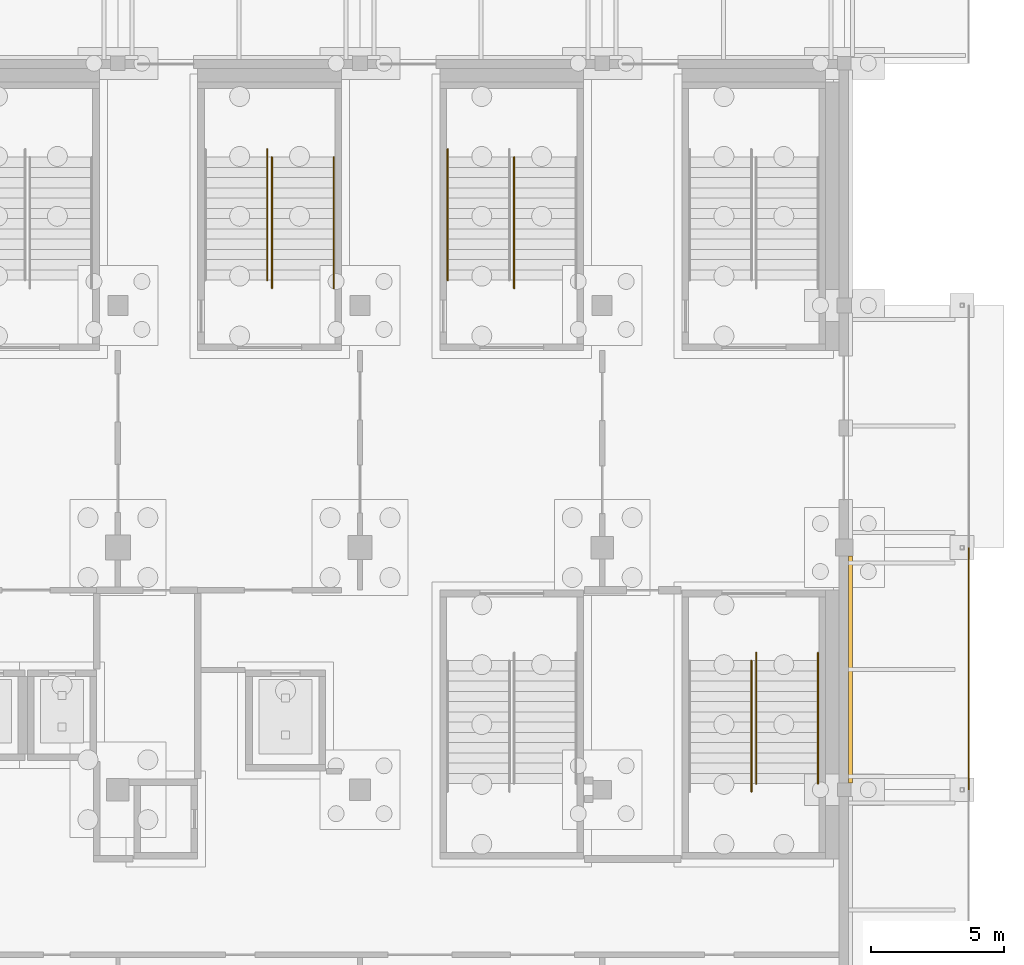
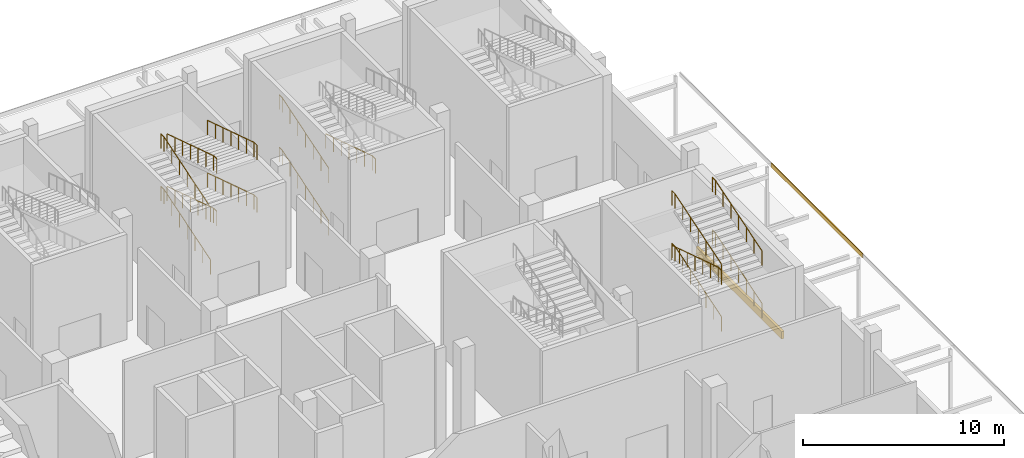
# One storey, part 120 of 129: 14 railings, 2 coverings.
"""IFC4 building model written with IfcOpenShell, lengths in metres."""

import ifcopenshell
import ifcopenshell.guid

model = None  # the IFC model being written
_history = None  # IfcOwnerHistory: only IFC2X3 demands one
_inside = {}  # id of a spatial element -> (the spatial element, [elements in it])
_under = {}  # id of a project, library or spatial element -> (it, [spatial elements below it])
_declared = {}  # id of a project -> (the project, [libraries it declares])
_typed = {}  # id of a type object -> (the type object, [elements of that type])
_made_of = {}  # id of a material, layer set ... -> (it, [elements and type objects made of it])


def new_model(schema):
    """Start an empty IFC model of exactly this schema.

    Asked for "IFC4X3", IfcOpenShell would pick the latest addendum, in which some entities
    have other attributes; the version numbers below select the first issue.
    IFC2X3 requires an IfcOwnerHistory on every rooted entity: one is made here for all.
    """
    global model, _history
    if schema == "IFC4X3":
        model = ifcopenshell.file(schema_version=(4, 3, 0, 0))
    else:
        model = ifcopenshell.file(schema=schema)
    _inside.clear()
    _under.clear()
    _declared.clear()
    _typed.clear()
    _made_of.clear()
    _history = None
    if model.schema == "IFC2X3":
        org = make("IfcOrganization", Name="unknown")
        user = make(
            "IfcPersonAndOrganization",
            ThePerson=make("IfcPerson", FamilyName="unknown"),
            TheOrganization=org,
        )
        app = make(
            "IfcApplication",
            ApplicationDeveloper=org,
            Version="unknown",
            ApplicationFullName="unknown",
            ApplicationIdentifier="unknown",
        )
        _history = make(
            "IfcOwnerHistory",
            OwningUser=user,
            OwningApplication=app,
            ChangeAction="ADDED",
            CreationDate=0,
        )
    return model


def make(cls, **values):
    """One entity of the class cls with the attributes given. An attribute that is None is left unset."""
    return model.create_entity(
        cls, **{name: value for name, value in values.items() if value is not None}
    )


def rooted(cls, **values):
    """An entity with a GlobalId (a new one), such as an element, a storey or a relation."""
    return make(cls, GlobalId=ifcopenshell.guid.new(), OwnerHistory=_history, **values)


def si_unit(unit_type, name, prefix=None):
    """IfcSIUnit, for example si_unit("LENGTHUNIT", "METRE", prefix="MILLI")."""
    return make("IfcSIUnit", UnitType=unit_type, Prefix=prefix, Name=name)


def assignment(units):
    """IfcUnitAssignment: the units of a project."""
    return None if units is None else make("IfcUnitAssignment", Units=units)


def point(xyz):
    """IfcCartesianPoint."""
    return None if xyz is None else make("IfcCartesianPoint", Coordinates=xyz)


def direction(xyz):
    """IfcDirection."""
    return None if xyz is None else make("IfcDirection", DirectionRatios=xyz)


def frame(location, z_axis=None, x_axis=None):
    """IfcAxis2Placement3D, a coordinate frame: its origin and axes. An axis left out is left unset."""
    return make(
        "IfcAxis2Placement3D",
        Location=point(location),
        Axis=direction(z_axis),
        RefDirection=direction(x_axis),
    )


def frame_2d(location, x_axis=None):
    """IfcAxis2Placement2D, a coordinate frame in the plane: its origin and x axis."""
    return make(
        "IfcAxis2Placement2D", Location=point(location), RefDirection=direction(x_axis)
    )


def origin():
    """The frame at (0, 0, 0) with its axes left unset."""
    return frame((0.0, 0.0, 0.0))


def origin_2d():
    """The frame at (0, 0) in the plane with its x axis left unset."""
    return frame_2d((0.0, 0.0))


def place(relative_to, where):
    """IfcLocalPlacement: puts the frame where relative to a parent placement (None: the world)."""
    return make(
        "IfcLocalPlacement", PlacementRelTo=relative_to, RelativePlacement=where
    )


def context(
    kind, dimensions, precision=None, world=None, true_north=None, identifier=None
):
    """IfcGeometricRepresentationContext, for example the 3D "Model" context."""
    return make(
        "IfcGeometricRepresentationContext",
        ContextIdentifier=identifier,
        ContextType=kind,
        CoordinateSpaceDimension=dimensions,
        Precision=precision,
        WorldCoordinateSystem=world,
        TrueNorth=true_north,
    )


def subcontext(parent, identifier, kind, view, scale=None):
    """IfcGeometricRepresentationSubContext, for example "Body" below "Model"."""
    return make(
        "IfcGeometricRepresentationSubContext",
        ContextIdentifier=identifier,
        ContextType=kind,
        ParentContext=parent,
        TargetScale=scale,
        TargetView=view,
    )


def project(units=None, contexts=None):
    """IfcProject with its units and contexts."""
    return rooted(
        "IfcProject",
        Name="project",
        RepresentationContexts=contexts,
        UnitsInContext=assignment(units),
    )


def spatial(cls, under=None, at=None, **own):
    """A site, building, storey or space (cls), placed at a placement, below another one or the project."""
    s = rooted(cls, ObjectPlacement=at, **own)
    if under is not None:
        _under.setdefault(under.id(), (under, []))[1].append(s)
    return s


def profile(cls, at=None, kind="AREA", **sizes):
    """A parametric profile (cls). Its sizes go by their IFC names, for example OverallWidth=200.0."""
    return make(cls, ProfileType=kind, Position=at, **sizes)


def rectangle(**sizes):
    """IfcRectangleProfileDef."""
    return profile("IfcRectangleProfileDef", **sizes)


def circle(**sizes):
    """IfcCircleProfileDef."""
    return profile("IfcCircleProfileDef", **sizes)


def extrude(swept, where, along, depth):
    """IfcExtrudedAreaSolid: the profile swept, set in the frame where, extruded along a direction by depth."""
    return make(
        "IfcExtrudedAreaSolid",
        SweptArea=swept,
        Position=where,
        ExtrudedDirection=direction(along),
        Depth=depth,
    )


def shape(context_of_items, identifier, shape_type, items):
    """IfcShapeRepresentation: the items that make up one representation, for example the "Body"."""
    return make(
        "IfcShapeRepresentation",
        ContextOfItems=context_of_items,
        RepresentationIdentifier=identifier,
        RepresentationType=shape_type,
        Items=items,
    )


def material(Name=None, Category=None):
    """IfcMaterial."""
    return make("IfcMaterial", Name=Name, Category=Category)


def layer(
    of_material, thickness, ventilated=None, Name=None, Category=None, Priority=None
):
    """IfcMaterialLayer: one layer of a wall or slab, of a material (None: an air gap)."""
    return make(
        "IfcMaterialLayer",
        Material=of_material,
        LayerThickness=thickness,
        IsVentilated=ventilated,
        Name=Name,
        Category=Category,
        Priority=Priority,
    )


def layer_set(layers, Name=None):
    """IfcMaterialLayerSet."""
    return make("IfcMaterialLayerSet", MaterialLayers=layers, LayerSetName=Name)


def made_of(thing, what):
    """Note that an element or type object is made of a material, layer set ...; save() writes the relation."""
    if what is not None:
        _made_of.setdefault(what.id(), (what, []))[1].append(thing)
    return thing


def type_object(cls, material=None, **own):
    """A type object (cls), such as IfcWallType, which elements share."""
    return made_of(rooted(cls, **own), material)


def element(
    cls,
    number,
    at=None,
    inside=None,
    cuts=None,
    type_object=None,
    material=None,
    context=None,
    identifier="Body",
    shape_type=None,
    held_by="IfcProductDefinitionShape",
    body=None,
    shapes=None,
    **own,
):
    """One element of the class cls, such as IfcWall. Its Tag is "e" and its number.

    at: its placement. inside: the storey or other place that contains it. cuts: it is an
    opening in that element (IfcRelVoidsElement). A single representation is given by context,
    identifier, shape_type and body (its items); several are given by shapes. held_by: the class
    of the entity that holds the representations. save() writes the other relations.
    """
    e = rooted(cls, Tag="e%d" % number, ObjectPlacement=at, **own)
    if body is not None:
        shapes = [shape(context, identifier, shape_type, body)]
    if shapes is not None:
        e.Representation = make(held_by, Representations=shapes)
    if inside is not None:
        _inside.setdefault(inside.id(), (inside, []))[1].append(e)
    if cuts is not None:
        rooted(
            "IfcRelVoidsElement", RelatingBuildingElement=cuts, RelatedOpeningElement=e
        )
    if type_object is not None:
        _typed.setdefault(type_object.id(), (type_object, []))[1].append(e)
    return made_of(e, material)


def aggregate(whole, parts):
    """IfcRelAggregates: a whole, such as a stair, and the parts it consists of."""
    return rooted("IfcRelAggregates", RelatingObject=whole, RelatedObjects=parts)


def save(model, path):
    """Write the relations noted so far, then the file.

    IfcRelAggregates (storeys below a building ...), IfcRelContainedInSpatialStructure (elements
    in a storey), IfcRelDefinesByType, IfcRelAssociatesMaterial and IfcRelDeclares: one each for
    every whole, place, type object, material and project.
    """
    for whole, parts in _under.values():
        aggregate(whole, parts)
    for where, things in _inside.values():
        rooted(
            "IfcRelContainedInSpatialStructure",
            RelatedElements=things,
            RelatingStructure=where,
        )
    for kind, things in _typed.values():
        rooted("IfcRelDefinesByType", RelatedObjects=things, RelatingType=kind)
    for what, things in _made_of.values():
        rooted("IfcRelAssociatesMaterial", RelatedObjects=things, RelatingMaterial=what)
    for by, libraries in _declared.values():
        rooted("IfcRelDeclares", RelatingContext=by, RelatedDefinitions=libraries)
    model.write(path)


model = new_model("IFC4")

# Units and contexts
model_context = context("Model", 3, precision=1e-05, world=origin(), true_north=direction((0.0, 1.0)))
body_context = subcontext(model_context, "Body", "Model", "MODEL_VIEW")
ifc_project = project(units=[si_unit("LENGTHUNIT", "METRE"), si_unit("AREAUNIT", "SQUARE_METRE"), si_unit("VOLUMEUNIT", "CUBIC_METRE"), si_unit("PLANEANGLEUNIT", "RADIAN"), si_unit("MASSUNIT", "GRAM", prefix="KILO")], contexts=[model_context])

# Site, building, storey
site_placement = place(None, origin())
site = spatial("IfcSite", under=ifc_project, at=site_placement, CompositionType="ELEMENT")
building_placement = place(site_placement, origin())
building = spatial("IfcBuilding", under=site, at=building_placement, Name="Shirokan Park Arena", CompositionType="ELEMENT")
storey_placement = place(building_placement, origin())
storey = spatial("IfcBuildingStorey", under=building, at=storey_placement, Name="L00", CompositionType="ELEMENT", Elevation=0.0)

# Covering
ifc_material_1 = material(Name="Timber fascia (cedar)", Category="wood")
ifc_layer_1 = layer(ifc_material_1, 0.050048828125)
ifc_layer_set_1 = layer_set([ifc_layer_1], Name="Timber fascia (cedar) 50 mm")
covering_type_1 = type_object("IfcCoveringType", Name="Canopy fascia 50x250", PredefinedType="CLADDING", material=ifc_layer_set_1)
covering_1_placement = place(storey_placement, frame((150.27490234375, 86.449951171875, 3.5), z_axis=(0.0, 0.0, 1.0), x_axis=(0.0, 1.0, 0.0)))
element("IfcCovering", 1, at=covering_1_placement, inside=storey, type_object=covering_type_1, Name="Canopy fascia east bay 10", PredefinedType="CLADDING", context=body_context, shape_type="SweptSolid", body=[
    extrude(rectangle(XDim=9.10009765625, YDim=0.050048828125, at=origin_2d()), origin(), (0.0, 0.0, 1.0), 0.25),
])

# Railings
ifc_material_2 = material(Name="Stainless steel", Category="steel")
railing_type = type_object("IfcRailingType", Name="Stair handrail 900", PredefinedType="HANDRAIL", material=ifc_material_2)
railing_1_placement = place(storey_placement, frame((130.68994140625, 101.050048828125, 0.12255859375)))
element("IfcRailing", 2, at=railing_1_placement, inside=storey, type_object=railing_type, Name="Handrail Exit Stair 3.B L00 to L01", PredefinedType="HANDRAIL", context=body_context, shape_type="SweptSolid", body=[
    extrude(circle(Radius=0.02392578125, at=origin_2d()), frame((0.0, 0.0, 0.8759765625), z_axis=(0.0, 0.952929747917, 0.303191186441), x_axis=(-1.0, 0.0, 0.0)), (0.0, 0.0, 1.0), 1.6162109375),
    extrude(circle(Radius=0.02392578125, at=origin_2d()), frame((0.0, 1.5400390625, 1.36572265625), z_axis=(0.0, 0.952915858112, 0.303234838629), x_axis=(-1.0, 0.0, 0.0)), (0.0, 0.0, 1.0), 1.615966796875),
    extrude(circle(Radius=0.02392578125, at=origin_2d()), frame((0.0, 3.079833984375, 1.85595703125), z_axis=(0.0, 0.952929747917, 0.303191186441), x_axis=(-1.0, 0.0, 0.0)), (0.0, 0.0, 1.0), 1.6162109375),
    extrude(circle(Radius=0.02392578125, at=origin_2d()), frame((0.0, 4.619873046875, 2.345703125), z_axis=(0.0, 1.0, 0.0), x_axis=(-1.0, 0.0, 0.0)), (0.0, 0.0, 1.0), 0.300048828125),
    extrude(circle(Radius=0.02099609375, at=origin_2d()), origin(), (0.0, 0.0, 1.0), 0.851806640625),
    extrude(circle(Radius=0.02099609375, at=origin_2d()), frame((0.0, 0.77001953125, 0.2451171875)), (0.0, 0.0, 1.0), 0.851806640625),
    extrude(circle(Radius=0.02099609375, at=origin_2d()), frame((0.0, 1.5400390625, 0.489990234375)), (0.0, 0.0, 1.0), 0.851806640625),
    extrude(circle(Radius=0.02099609375, at=origin_2d()), frame((0.0, 2.31005859375, 0.73486328125)), (0.0, 0.0, 1.0), 0.851806640625),
    extrude(circle(Radius=0.02099609375, at=origin_2d()), frame((0.0, 3.079833984375, 0.97998046875)), (0.0, 0.0, 1.0), 0.851806640625),
    extrude(circle(Radius=0.02099609375, at=origin_2d()), frame((0.0, 3.849853515625, 1.22509765625)), (0.0, 0.0, 1.0), 0.851806640625),
    extrude(circle(Radius=0.02099609375, at=origin_2d()), frame((0.0, 4.619873046875, 1.469970703125)), (0.0, 0.0, 1.0), 0.851806640625),
    extrude(circle(Radius=0.02099609375, at=origin_2d()), frame((0.0, 4.919921875, 1.469970703125)), (0.0, 0.0, 1.0), 0.851806640625),
])
railing_2_placement = place(storey_placement, frame((133.18994140625, 105.669921875, 1.715087890625)))
element("IfcRailing", 3, at=railing_2_placement, inside=storey, type_object=railing_type, Name="Handrail Exit Stair 3.B L00 to L01", PredefinedType="HANDRAIL", context=body_context, shape_type="SweptSolid", body=[
    extrude(circle(Radius=0.02392578125, at=origin_2d()), frame((0.0, 0.0, 0.8759765625), z_axis=(0.0, -0.952929747917, 0.303191186441), x_axis=(1.0, 0.0, 0.0)), (0.0, 0.0, 1.0), 1.6162109375),
    extrude(circle(Radius=0.02392578125, at=origin_2d()), frame((0.0, -1.5400390625, 1.36572265625), z_axis=(0.0, -0.952915858112, 0.303234838629), x_axis=(1.0, 0.0, 0.0)), (0.0, 0.0, 1.0), 1.615966796875),
    extrude(circle(Radius=0.02392578125, at=origin_2d()), frame((0.0, -3.079833984375, 1.85595703125), z_axis=(0.0, -0.952929747917, 0.303191186441), x_axis=(1.0, 0.0, 0.0)), (0.0, 0.0, 1.0), 1.6162109375),
    extrude(circle(Radius=0.02392578125, at=origin_2d()), frame((0.0, -4.619873046875, 2.345703125), z_axis=(0.0, -1.0, 0.0), x_axis=(1.0, 0.0, 0.0)), (0.0, 0.0, 1.0), 0.300048828125),
    extrude(circle(Radius=0.02099609375, at=origin_2d()), origin(), (0.0, 0.0, 1.0), 0.851806640625),
    extrude(circle(Radius=0.02099609375, at=origin_2d()), frame((0.0, -0.77001953125, 0.2451171875)), (0.0, 0.0, 1.0), 0.851806640625),
    extrude(circle(Radius=0.02099609375, at=origin_2d()), frame((0.0, -1.5400390625, 0.489990234375)), (0.0, 0.0, 1.0), 0.851806640625),
    extrude(circle(Radius=0.02099609375, at=origin_2d()), frame((0.0, -2.31005859375, 0.73486328125)), (0.0, 0.0, 1.0), 0.851806640625),
    extrude(circle(Radius=0.02099609375, at=origin_2d()), frame((0.0, -3.079833984375, 0.97998046875)), (0.0, 0.0, 1.0), 0.851806640625),
    extrude(circle(Radius=0.02099609375, at=origin_2d()), frame((0.0, -3.849853515625, 1.22509765625)), (0.0, 0.0, 1.0), 0.851806640625),
    extrude(circle(Radius=0.02099609375, at=origin_2d()), frame((0.0, -4.619873046875, 1.469970703125)), (0.0, 0.0, 1.0), 0.851806640625),
    extrude(circle(Radius=0.02099609375, at=origin_2d()), frame((0.0, -4.919921875, 1.469970703125)), (0.0, 0.0, 1.0), 0.851806640625),
])
railing_3_placement = place(storey_placement, frame((130.68994140625, 101.050048828125, 3.3076171875)))
element("IfcRailing", 4, at=railing_3_placement, inside=storey, type_object=railing_type, Name="Handrail Exit Stair 3.B L00 to L01", PredefinedType="HANDRAIL", context=body_context, shape_type="SweptSolid", body=[
    extrude(circle(Radius=0.02392578125, at=origin_2d()), frame((0.0, 0.0, 0.8759765625), z_axis=(0.0, 0.952929747917, 0.303191186441), x_axis=(-1.0, 0.0, 0.0)), (0.0, 0.0, 1.0), 1.6162109375),
    extrude(circle(Radius=0.02392578125, at=origin_2d()), frame((0.0, 1.5400390625, 1.36572265625), z_axis=(0.0, 0.952915858112, 0.303234838629), x_axis=(-1.0, 0.0, 0.0)), (0.0, 0.0, 1.0), 1.615966796875),
    extrude(circle(Radius=0.02392578125, at=origin_2d()), frame((0.0, 3.079833984375, 1.85595703125), z_axis=(0.0, 0.952929747917, 0.303191186441), x_axis=(-1.0, 0.0, 0.0)), (0.0, 0.0, 1.0), 1.6162109375),
    extrude(circle(Radius=0.02392578125, at=origin_2d()), frame((0.0, 4.619873046875, 2.345703125), z_axis=(0.0, 1.0, 0.0), x_axis=(-1.0, 0.0, 0.0)), (0.0, 0.0, 1.0), 0.300048828125),
    extrude(circle(Radius=0.02099609375, at=origin_2d()), origin(), (0.0, 0.0, 1.0), 0.851806640625),
    extrude(circle(Radius=0.02099609375, at=origin_2d()), frame((0.0, 0.77001953125, 0.2451171875)), (0.0, 0.0, 1.0), 0.851806640625),
    extrude(circle(Radius=0.02099609375, at=origin_2d()), frame((0.0, 1.5400390625, 0.489990234375)), (0.0, 0.0, 1.0), 0.851806640625),
    extrude(circle(Radius=0.02099609375, at=origin_2d()), frame((0.0, 2.31005859375, 0.73486328125)), (0.0, 0.0, 1.0), 0.851806640625),
    extrude(circle(Radius=0.02099609375, at=origin_2d()), frame((0.0, 3.079833984375, 0.97998046875)), (0.0, 0.0, 1.0), 0.851806640625),
    extrude(circle(Radius=0.02099609375, at=origin_2d()), frame((0.0, 3.849853515625, 1.22509765625)), (0.0, 0.0, 1.0), 0.851806640625),
    extrude(circle(Radius=0.02099609375, at=origin_2d()), frame((0.0, 4.619873046875, 1.469970703125)), (0.0, 0.0, 1.0), 0.851806640625),
    extrude(circle(Radius=0.02099609375, at=origin_2d()), frame((0.0, 4.919921875, 1.469970703125)), (0.0, 0.0, 1.0), 0.851806640625),
])
railing_4_placement = place(storey_placement, frame((123.909912109375, 101.050048828125, 0.12255859375)))
element("IfcRailing", 5, at=railing_4_placement, inside=storey, type_object=railing_type, Name="Handrail Exit Stair 3.C L00 to L01", PredefinedType="HANDRAIL", context=body_context, shape_type="SweptSolid", body=[
    extrude(circle(Radius=0.02392578125, at=origin_2d()), frame((0.0, 0.0, 0.8759765625), z_axis=(0.0, 0.952929747917, 0.303191186441), x_axis=(-1.0, 0.0, 0.0)), (0.0, 0.0, 1.0), 1.6162109375),
    extrude(circle(Radius=0.02392578125, at=origin_2d()), frame((0.0, 1.5400390625, 1.36572265625), z_axis=(0.0, 0.952915858112, 0.303234838629), x_axis=(-1.0, 0.0, 0.0)), (0.0, 0.0, 1.0), 1.615966796875),
    extrude(circle(Radius=0.02392578125, at=origin_2d()), frame((0.0, 3.079833984375, 1.85595703125), z_axis=(0.0, 0.952929747917, 0.303191186441), x_axis=(-1.0, 0.0, 0.0)), (0.0, 0.0, 1.0), 1.6162109375),
    extrude(circle(Radius=0.02392578125, at=origin_2d()), frame((0.0, 4.619873046875, 2.345703125), z_axis=(0.0, 1.0, 0.0), x_axis=(-1.0, 0.0, 0.0)), (0.0, 0.0, 1.0), 0.300048828125),
    extrude(circle(Radius=0.02099609375, at=origin_2d()), origin(), (0.0, 0.0, 1.0), 0.851806640625),
    extrude(circle(Radius=0.02099609375, at=origin_2d()), frame((0.0, 0.77001953125, 0.2451171875)), (0.0, 0.0, 1.0), 0.851806640625),
    extrude(circle(Radius=0.02099609375, at=origin_2d()), frame((0.0, 1.5400390625, 0.489990234375)), (0.0, 0.0, 1.0), 0.851806640625),
    extrude(circle(Radius=0.02099609375, at=origin_2d()), frame((0.0, 2.31005859375, 0.73486328125)), (0.0, 0.0, 1.0), 0.851806640625),
    extrude(circle(Radius=0.02099609375, at=origin_2d()), frame((0.0, 3.079833984375, 0.97998046875)), (0.0, 0.0, 1.0), 0.851806640625),
    extrude(circle(Radius=0.02099609375, at=origin_2d()), frame((0.0, 3.849853515625, 1.22509765625)), (0.0, 0.0, 1.0), 0.851806640625),
    extrude(circle(Radius=0.02099609375, at=origin_2d()), frame((0.0, 4.619873046875, 1.469970703125)), (0.0, 0.0, 1.0), 0.851806640625),
    extrude(circle(Radius=0.02099609375, at=origin_2d()), frame((0.0, 4.919921875, 1.469970703125)), (0.0, 0.0, 1.0), 0.851806640625),
])
railing_5_placement = place(storey_placement, frame((124.090087890625, 105.669921875, 1.715087890625)))
element("IfcRailing", 6, at=railing_5_placement, inside=storey, type_object=railing_type, Name="Handrail Exit Stair 3.C L00 to L01", PredefinedType="HANDRAIL", context=body_context, shape_type="SweptSolid", body=[
    extrude(circle(Radius=0.02392578125, at=origin_2d()), frame((0.0, 0.0, 0.8759765625), z_axis=(0.0, -0.952929747917, 0.303191186441), x_axis=(1.0, 0.0, 0.0)), (0.0, 0.0, 1.0), 1.6162109375),
    extrude(circle(Radius=0.02392578125, at=origin_2d()), frame((0.0, -1.5400390625, 1.36572265625), z_axis=(0.0, -0.952915858112, 0.303234838629), x_axis=(1.0, 0.0, 0.0)), (0.0, 0.0, 1.0), 1.615966796875),
    extrude(circle(Radius=0.02392578125, at=origin_2d()), frame((0.0, -3.079833984375, 1.85595703125), z_axis=(0.0, -0.952929747917, 0.303191186441), x_axis=(1.0, 0.0, 0.0)), (0.0, 0.0, 1.0), 1.6162109375),
    extrude(circle(Radius=0.02392578125, at=origin_2d()), frame((0.0, -4.619873046875, 2.345703125), z_axis=(0.0, -1.0, 0.0), x_axis=(1.0, 0.0, 0.0)), (0.0, 0.0, 1.0), 0.300048828125),
    extrude(circle(Radius=0.02099609375, at=origin_2d()), origin(), (0.0, 0.0, 1.0), 0.851806640625),
    extrude(circle(Radius=0.02099609375, at=origin_2d()), frame((0.0, -0.77001953125, 0.2451171875)), (0.0, 0.0, 1.0), 0.851806640625),
    extrude(circle(Radius=0.02099609375, at=origin_2d()), frame((0.0, -1.5400390625, 0.489990234375)), (0.0, 0.0, 1.0), 0.851806640625),
    extrude(circle(Radius=0.02099609375, at=origin_2d()), frame((0.0, -2.31005859375, 0.73486328125)), (0.0, 0.0, 1.0), 0.851806640625),
    extrude(circle(Radius=0.02099609375, at=origin_2d()), frame((0.0, -3.079833984375, 0.97998046875)), (0.0, 0.0, 1.0), 0.851806640625),
    extrude(circle(Radius=0.02099609375, at=origin_2d()), frame((0.0, -3.849853515625, 1.22509765625)), (0.0, 0.0, 1.0), 0.851806640625),
    extrude(circle(Radius=0.02099609375, at=origin_2d()), frame((0.0, -4.619873046875, 1.469970703125)), (0.0, 0.0, 1.0), 0.851806640625),
    extrude(circle(Radius=0.02099609375, at=origin_2d()), frame((0.0, -4.919921875, 1.469970703125)), (0.0, 0.0, 1.0), 0.851806640625),
])
railing_6_placement = place(storey_placement, frame((126.409912109375, 105.669921875, 1.715087890625)))
element("IfcRailing", 7, at=railing_6_placement, inside=storey, type_object=railing_type, Name="Handrail Exit Stair 3.C L00 to L01", PredefinedType="HANDRAIL", context=body_context, shape_type="SweptSolid", body=[
    extrude(circle(Radius=0.02392578125, at=origin_2d()), frame((0.0, 0.0, 0.8759765625), z_axis=(0.0, -0.952929747917, 0.303191186441), x_axis=(1.0, 0.0, 0.0)), (0.0, 0.0, 1.0), 1.6162109375),
    extrude(circle(Radius=0.02392578125, at=origin_2d()), frame((0.0, -1.5400390625, 1.36572265625), z_axis=(0.0, -0.952915858112, 0.303234838629), x_axis=(1.0, 0.0, 0.0)), (0.0, 0.0, 1.0), 1.615966796875),
    extrude(circle(Radius=0.02392578125, at=origin_2d()), frame((0.0, -3.079833984375, 1.85595703125), z_axis=(0.0, -0.952929747917, 0.303191186441), x_axis=(1.0, 0.0, 0.0)), (0.0, 0.0, 1.0), 1.6162109375),
    extrude(circle(Radius=0.02392578125, at=origin_2d()), frame((0.0, -4.619873046875, 2.345703125), z_axis=(0.0, -1.0, 0.0), x_axis=(1.0, 0.0, 0.0)), (0.0, 0.0, 1.0), 0.300048828125),
    extrude(circle(Radius=0.02099609375, at=origin_2d()), origin(), (0.0, 0.0, 1.0), 0.851806640625),
    extrude(circle(Radius=0.02099609375, at=origin_2d()), frame((0.0, -0.77001953125, 0.2451171875)), (0.0, 0.0, 1.0), 0.851806640625),
    extrude(circle(Radius=0.02099609375, at=origin_2d()), frame((0.0, -1.5400390625, 0.489990234375)), (0.0, 0.0, 1.0), 0.851806640625),
    extrude(circle(Radius=0.02099609375, at=origin_2d()), frame((0.0, -2.31005859375, 0.73486328125)), (0.0, 0.0, 1.0), 0.851806640625),
    extrude(circle(Radius=0.02099609375, at=origin_2d()), frame((0.0, -3.079833984375, 0.97998046875)), (0.0, 0.0, 1.0), 0.851806640625),
    extrude(circle(Radius=0.02099609375, at=origin_2d()), frame((0.0, -3.849853515625, 1.22509765625)), (0.0, 0.0, 1.0), 0.851806640625),
    extrude(circle(Radius=0.02099609375, at=origin_2d()), frame((0.0, -4.619873046875, 1.469970703125)), (0.0, 0.0, 1.0), 0.851806640625),
    extrude(circle(Radius=0.02099609375, at=origin_2d()), frame((0.0, -4.919921875, 1.469970703125)), (0.0, 0.0, 1.0), 0.851806640625),
])
railing_7_placement = place(storey_placement, frame((123.909912109375, 101.050048828125, 3.3076171875)))
element("IfcRailing", 8, at=railing_7_placement, inside=storey, type_object=railing_type, Name="Handrail Exit Stair 3.C L00 to L01", PredefinedType="HANDRAIL", context=body_context, shape_type="SweptSolid", body=[
    extrude(circle(Radius=0.02392578125, at=origin_2d()), frame((0.0, 0.0, 0.8759765625), z_axis=(0.0, 0.952929747917, 0.303191186441), x_axis=(-1.0, 0.0, 0.0)), (0.0, 0.0, 1.0), 1.6162109375),
    extrude(circle(Radius=0.02392578125, at=origin_2d()), frame((0.0, 1.5400390625, 1.36572265625), z_axis=(0.0, 0.952915858112, 0.303234838629), x_axis=(-1.0, 0.0, 0.0)), (0.0, 0.0, 1.0), 1.615966796875),
    extrude(circle(Radius=0.02392578125, at=origin_2d()), frame((0.0, 3.079833984375, 1.85595703125), z_axis=(0.0, 0.952929747917, 0.303191186441), x_axis=(-1.0, 0.0, 0.0)), (0.0, 0.0, 1.0), 1.6162109375),
    extrude(circle(Radius=0.02392578125, at=origin_2d()), frame((0.0, 4.619873046875, 2.345703125), z_axis=(0.0, 1.0, 0.0), x_axis=(-1.0, 0.0, 0.0)), (0.0, 0.0, 1.0), 0.300048828125),
    extrude(circle(Radius=0.02099609375, at=origin_2d()), origin(), (0.0, 0.0, 1.0), 0.851806640625),
    extrude(circle(Radius=0.02099609375, at=origin_2d()), frame((0.0, 0.77001953125, 0.2451171875)), (0.0, 0.0, 1.0), 0.851806640625),
    extrude(circle(Radius=0.02099609375, at=origin_2d()), frame((0.0, 1.5400390625, 0.489990234375)), (0.0, 0.0, 1.0), 0.851806640625),
    extrude(circle(Radius=0.02099609375, at=origin_2d()), frame((0.0, 2.31005859375, 0.73486328125)), (0.0, 0.0, 1.0), 0.851806640625),
    extrude(circle(Radius=0.02099609375, at=origin_2d()), frame((0.0, 3.079833984375, 0.97998046875)), (0.0, 0.0, 1.0), 0.851806640625),
    extrude(circle(Radius=0.02099609375, at=origin_2d()), frame((0.0, 3.849853515625, 1.22509765625)), (0.0, 0.0, 1.0), 0.851806640625),
    extrude(circle(Radius=0.02099609375, at=origin_2d()), frame((0.0, 4.619873046875, 1.469970703125)), (0.0, 0.0, 1.0), 0.851806640625),
    extrude(circle(Radius=0.02099609375, at=origin_2d()), frame((0.0, 4.919921875, 1.469970703125)), (0.0, 0.0, 1.0), 0.851806640625),
])
railing_8_placement = place(storey_placement, frame((124.090087890625, 105.669921875, 4.89990234375)))
element("IfcRailing", 9, at=railing_8_placement, inside=storey, type_object=railing_type, Name="Handrail Exit Stair 3.C L00 to L01", PredefinedType="HANDRAIL", context=body_context, shape_type="SweptSolid", body=[
    extrude(circle(Radius=0.02392578125, at=origin_2d()), frame((0.0, 0.0, 0.8759765625), z_axis=(0.0, -0.952929747917, 0.303191186441), x_axis=(1.0, 0.0, 0.0)), (0.0, 0.0, 1.0), 1.6162109375),
    extrude(circle(Radius=0.02392578125, at=origin_2d()), frame((0.0, -1.5400390625, 1.36572265625), z_axis=(0.0, -0.952915858112, 0.303234838629), x_axis=(1.0, 0.0, 0.0)), (0.0, 0.0, 1.0), 1.615966796875),
    extrude(circle(Radius=0.02392578125, at=origin_2d()), frame((0.0, -3.079833984375, 1.85595703125), z_axis=(0.0, -0.952886093821, 0.303328357069), x_axis=(1.0, 0.0, 0.0)), (0.0, 0.0, 1.0), 1.6162109375),
    extrude(circle(Radius=0.02392578125, at=origin_2d()), frame((0.0, -4.619873046875, 2.34619140625), z_axis=(0.0, -1.0, 0.0), x_axis=(1.0, 0.0, 0.0)), (0.0, 0.0, 1.0), 0.300048828125),
    extrude(circle(Radius=0.02099609375, at=origin_2d()), origin(), (0.0, 0.0, 1.0), 0.851806640625),
    extrude(circle(Radius=0.02099609375, at=origin_2d()), frame((0.0, -0.77001953125, 0.2451171875)), (0.0, 0.0, 1.0), 0.851806640625),
    extrude(circle(Radius=0.02099609375, at=origin_2d()), frame((0.0, -1.5400390625, 0.489990234375)), (0.0, 0.0, 1.0), 0.851806640625),
    extrude(circle(Radius=0.02099609375, at=origin_2d()), frame((0.0, -2.31005859375, 0.73486328125)), (0.0, 0.0, 1.0), 0.851806640625),
    extrude(circle(Radius=0.02099609375, at=origin_2d()), frame((0.0, -3.079833984375, 0.97998046875)), (0.0, 0.0, 1.0), 0.851806640625),
    extrude(circle(Radius=0.02099609375, at=origin_2d()), frame((0.0, -3.849853515625, 1.22509765625)), (0.0, 0.0, 1.0), 0.851806640625),
    extrude(circle(Radius=0.02099609375, at=origin_2d()), frame((0.0, -4.619873046875, 1.47021484375)), (0.0, 0.0, 1.0), 0.851806640625),
    extrude(circle(Radius=0.02099609375, at=origin_2d()), frame((0.0, -4.919921875, 1.47021484375)), (0.0, 0.0, 1.0), 0.851806640625),
])
railing_9_placement = place(storey_placement, frame((126.409912109375, 105.669921875, 4.89990234375)))
element("IfcRailing", 10, at=railing_9_placement, inside=storey, type_object=railing_type, Name="Handrail Exit Stair 3.C L00 to L01", PredefinedType="HANDRAIL", context=body_context, shape_type="SweptSolid", body=[
    extrude(circle(Radius=0.02392578125, at=origin_2d()), frame((0.0, 0.0, 0.8759765625), z_axis=(0.0, -0.952929747917, 0.303191186441), x_axis=(1.0, 0.0, 0.0)), (0.0, 0.0, 1.0), 1.6162109375),
    extrude(circle(Radius=0.02392578125, at=origin_2d()), frame((0.0, -1.5400390625, 1.36572265625), z_axis=(0.0, -0.952915858112, 0.303234838629), x_axis=(1.0, 0.0, 0.0)), (0.0, 0.0, 1.0), 1.615966796875),
    extrude(circle(Radius=0.02392578125, at=origin_2d()), frame((0.0, -3.079833984375, 1.85595703125), z_axis=(0.0, -0.952886093821, 0.303328357069), x_axis=(1.0, 0.0, 0.0)), (0.0, 0.0, 1.0), 1.6162109375),
    extrude(circle(Radius=0.02392578125, at=origin_2d()), frame((0.0, -4.619873046875, 2.34619140625), z_axis=(0.0, -1.0, 0.0), x_axis=(1.0, 0.0, 0.0)), (0.0, 0.0, 1.0), 0.300048828125),
    extrude(circle(Radius=0.02099609375, at=origin_2d()), origin(), (0.0, 0.0, 1.0), 0.851806640625),
    extrude(circle(Radius=0.02099609375, at=origin_2d()), frame((0.0, -0.77001953125, 0.2451171875)), (0.0, 0.0, 1.0), 0.851806640625),
    extrude(circle(Radius=0.02099609375, at=origin_2d()), frame((0.0, -1.5400390625, 0.489990234375)), (0.0, 0.0, 1.0), 0.851806640625),
    extrude(circle(Radius=0.02099609375, at=origin_2d()), frame((0.0, -2.31005859375, 0.73486328125)), (0.0, 0.0, 1.0), 0.851806640625),
    extrude(circle(Radius=0.02099609375, at=origin_2d()), frame((0.0, -3.079833984375, 0.97998046875)), (0.0, 0.0, 1.0), 0.851806640625),
    extrude(circle(Radius=0.02099609375, at=origin_2d()), frame((0.0, -3.849853515625, 1.22509765625)), (0.0, 0.0, 1.0), 0.851806640625),
    extrude(circle(Radius=0.02099609375, at=origin_2d()), frame((0.0, -4.619873046875, 1.47021484375)), (0.0, 0.0, 1.0), 0.851806640625),
    extrude(circle(Radius=0.02099609375, at=origin_2d()), frame((0.0, -4.919921875, 1.47021484375)), (0.0, 0.0, 1.0), 0.851806640625),
])
railing_10_placement = place(storey_placement, frame((142.2900390625, 82.1298828125, 1.715087890625)))
element("IfcRailing", 11, at=railing_10_placement, inside=storey, type_object=railing_type, Name="Handrail Exit Stair 3.E L00 to L01", PredefinedType="HANDRAIL", context=body_context, shape_type="SweptSolid", body=[
    extrude(circle(Radius=0.02392578125, at=origin_2d()), frame((0.0, 0.0, 0.8759765625), z_axis=(0.0, 0.952929747917, 0.303191186441), x_axis=(-1.0, 0.0, 0.0)), (0.0, 0.0, 1.0), 1.6162109375),
    extrude(circle(Radius=0.02392578125, at=origin_2d()), frame((0.0, 1.5400390625, 1.36572265625), z_axis=(0.0, 0.952929747917, 0.303191186441), x_axis=(-1.0, 0.0, 0.0)), (0.0, 0.0, 1.0), 1.6162109375),
    extrude(circle(Radius=0.02392578125, at=origin_2d()), frame((0.0, 3.080078125, 1.85595703125), z_axis=(0.0, 0.952929747917, 0.303191186441), x_axis=(-1.0, 0.0, 0.0)), (0.0, 0.0, 1.0), 1.6162109375),
    extrude(circle(Radius=0.02392578125, at=origin_2d()), frame((0.0, 4.6201171875, 2.345703125), z_axis=(0.0, 1.0, 0.0), x_axis=(-1.0, 0.0, 0.0)), (0.0, 0.0, 1.0), 0.300048828125),
    extrude(circle(Radius=0.02099609375, at=origin_2d()), origin(), (0.0, 0.0, 1.0), 0.851806640625),
    extrude(circle(Radius=0.02099609375, at=origin_2d()), frame((0.0, 0.77001953125, 0.2451171875)), (0.0, 0.0, 1.0), 0.851806640625),
    extrude(circle(Radius=0.02099609375, at=origin_2d()), frame((0.0, 1.5400390625, 0.489990234375)), (0.0, 0.0, 1.0), 0.851806640625),
    extrude(circle(Radius=0.02099609375, at=origin_2d()), frame((0.0, 2.31005859375, 0.73486328125)), (0.0, 0.0, 1.0), 0.851806640625),
    extrude(circle(Radius=0.02099609375, at=origin_2d()), frame((0.0, 3.080078125, 0.97998046875)), (0.0, 0.0, 1.0), 0.851806640625),
    extrude(circle(Radius=0.02099609375, at=origin_2d()), frame((0.0, 3.85009765625, 1.22509765625)), (0.0, 0.0, 1.0), 0.851806640625),
    extrude(circle(Radius=0.02099609375, at=origin_2d()), frame((0.0, 4.6201171875, 1.469970703125)), (0.0, 0.0, 1.0), 0.851806640625),
    extrude(circle(Radius=0.02099609375, at=origin_2d()), frame((0.0, 4.920166015625, 1.469970703125)), (0.0, 0.0, 1.0), 0.851806640625),
])
railing_11_placement = place(storey_placement, frame((144.610107421875, 82.1298828125, 1.715087890625)))
element("IfcRailing", 12, at=railing_11_placement, inside=storey, type_object=railing_type, Name="Handrail Exit Stair 3.E L00 to L01", PredefinedType="HANDRAIL", context=body_context, shape_type="SweptSolid", body=[
    extrude(circle(Radius=0.02392578125, at=origin_2d()), frame((0.0, 0.0, 0.8759765625), z_axis=(0.0, 0.952929747917, 0.303191186441), x_axis=(-1.0, 0.0, 0.0)), (0.0, 0.0, 1.0), 1.6162109375),
    extrude(circle(Radius=0.02392578125, at=origin_2d()), frame((0.0, 1.5400390625, 1.36572265625), z_axis=(0.0, 0.952929747917, 0.303191186441), x_axis=(-1.0, 0.0, 0.0)), (0.0, 0.0, 1.0), 1.6162109375),
    extrude(circle(Radius=0.02392578125, at=origin_2d()), frame((0.0, 3.080078125, 1.85595703125), z_axis=(0.0, 0.952929747917, 0.303191186441), x_axis=(-1.0, 0.0, 0.0)), (0.0, 0.0, 1.0), 1.6162109375),
    extrude(circle(Radius=0.02392578125, at=origin_2d()), frame((0.0, 4.6201171875, 2.345703125), z_axis=(0.0, 1.0, 0.0), x_axis=(-1.0, 0.0, 0.0)), (0.0, 0.0, 1.0), 0.300048828125),
    extrude(circle(Radius=0.02099609375, at=origin_2d()), origin(), (0.0, 0.0, 1.0), 0.851806640625),
    extrude(circle(Radius=0.02099609375, at=origin_2d()), frame((0.0, 0.77001953125, 0.2451171875)), (0.0, 0.0, 1.0), 0.851806640625),
    extrude(circle(Radius=0.02099609375, at=origin_2d()), frame((0.0, 1.5400390625, 0.489990234375)), (0.0, 0.0, 1.0), 0.851806640625),
    extrude(circle(Radius=0.02099609375, at=origin_2d()), frame((0.0, 2.31005859375, 0.73486328125)), (0.0, 0.0, 1.0), 0.851806640625),
    extrude(circle(Radius=0.02099609375, at=origin_2d()), frame((0.0, 3.080078125, 0.97998046875)), (0.0, 0.0, 1.0), 0.851806640625),
    extrude(circle(Radius=0.02099609375, at=origin_2d()), frame((0.0, 3.85009765625, 1.22509765625)), (0.0, 0.0, 1.0), 0.851806640625),
    extrude(circle(Radius=0.02099609375, at=origin_2d()), frame((0.0, 4.6201171875, 1.469970703125)), (0.0, 0.0, 1.0), 0.851806640625),
    extrude(circle(Radius=0.02099609375, at=origin_2d()), frame((0.0, 4.920166015625, 1.469970703125)), (0.0, 0.0, 1.0), 0.851806640625),
])
railing_12_placement = place(storey_placement, frame((142.110107421875, 86.75, 3.3076171875)))
element("IfcRailing", 13, at=railing_12_placement, inside=storey, type_object=railing_type, Name="Handrail Exit Stair 3.E L00 to L01", PredefinedType="HANDRAIL", context=body_context, shape_type="SweptSolid", body=[
    extrude(circle(Radius=0.02392578125, at=origin_2d()), frame((0.0, 0.0, 0.8759765625), z_axis=(0.0, -0.952929747917, 0.303191186441), x_axis=(1.0, 0.0, 0.0)), (0.0, 0.0, 1.0), 1.6162109375),
    extrude(circle(Radius=0.02392578125, at=origin_2d()), frame((0.0, -1.5400390625, 1.36572265625), z_axis=(0.0, -0.952929747917, 0.303191186441), x_axis=(1.0, 0.0, 0.0)), (0.0, 0.0, 1.0), 1.6162109375),
    extrude(circle(Radius=0.02392578125, at=origin_2d()), frame((0.0, -3.080078125, 1.85595703125), z_axis=(0.0, -0.952929747917, 0.303191186441), x_axis=(1.0, 0.0, 0.0)), (0.0, 0.0, 1.0), 1.6162109375),
    extrude(circle(Radius=0.02392578125, at=origin_2d()), frame((0.0, -4.6201171875, 2.345703125), z_axis=(0.0, -1.0, 0.0), x_axis=(1.0, 0.0, 0.0)), (0.0, 0.0, 1.0), 0.2998046875),
    extrude(circle(Radius=0.02099609375, at=origin_2d()), origin(), (0.0, 0.0, 1.0), 0.851806640625),
    extrude(circle(Radius=0.02099609375, at=origin_2d()), frame((0.0, -0.77001953125, 0.2451171875)), (0.0, 0.0, 1.0), 0.851806640625),
    extrude(circle(Radius=0.02099609375, at=origin_2d()), frame((0.0, -1.5400390625, 0.489990234375)), (0.0, 0.0, 1.0), 0.851806640625),
    extrude(circle(Radius=0.02099609375, at=origin_2d()), frame((0.0, -2.31005859375, 0.73486328125)), (0.0, 0.0, 1.0), 0.851806640625),
    extrude(circle(Radius=0.02099609375, at=origin_2d()), frame((0.0, -3.080078125, 0.97998046875)), (0.0, 0.0, 1.0), 0.851806640625),
    extrude(circle(Radius=0.02099609375, at=origin_2d()), frame((0.0, -3.85009765625, 1.22509765625)), (0.0, 0.0, 1.0), 0.851806640625),
    extrude(circle(Radius=0.02099609375, at=origin_2d()), frame((0.0, -4.6201171875, 1.469970703125)), (0.0, 0.0, 1.0), 0.851806640625),
    extrude(circle(Radius=0.02099609375, at=origin_2d()), frame((0.0, -4.919921875, 1.469970703125)), (0.0, 0.0, 1.0), 0.851806640625),
])
railing_13_placement = place(storey_placement, frame((142.2900390625, 82.1298828125, 4.89990234375)))
element("IfcRailing", 14, at=railing_13_placement, inside=storey, type_object=railing_type, Name="Handrail Exit Stair 3.E L00 to L01", PredefinedType="HANDRAIL", context=body_context, shape_type="SweptSolid", body=[
    extrude(circle(Radius=0.02392578125, at=origin_2d()), frame((0.0, 0.0, 0.8759765625), z_axis=(0.0, 0.952929747917, 0.303191186441), x_axis=(-1.0, 0.0, 0.0)), (0.0, 0.0, 1.0), 1.6162109375),
    extrude(circle(Radius=0.02392578125, at=origin_2d()), frame((0.0, 1.5400390625, 1.36572265625), z_axis=(0.0, 0.952929747917, 0.303191186441), x_axis=(-1.0, 0.0, 0.0)), (0.0, 0.0, 1.0), 1.6162109375),
    extrude(circle(Radius=0.02392578125, at=origin_2d()), frame((0.0, 3.080078125, 1.85595703125), z_axis=(0.0, 0.952886093821, 0.303328357069), x_axis=(-1.0, 0.0, 0.0)), (0.0, 0.0, 1.0), 1.6162109375),
    extrude(circle(Radius=0.02392578125, at=origin_2d()), frame((0.0, 4.6201171875, 2.34619140625), z_axis=(0.0, 1.0, 0.0), x_axis=(-1.0, 0.0, 0.0)), (0.0, 0.0, 1.0), 0.300048828125),
    extrude(circle(Radius=0.02099609375, at=origin_2d()), origin(), (0.0, 0.0, 1.0), 0.851806640625),
    extrude(circle(Radius=0.02099609375, at=origin_2d()), frame((0.0, 0.77001953125, 0.2451171875)), (0.0, 0.0, 1.0), 0.851806640625),
    extrude(circle(Radius=0.02099609375, at=origin_2d()), frame((0.0, 1.5400390625, 0.489990234375)), (0.0, 0.0, 1.0), 0.851806640625),
    extrude(circle(Radius=0.02099609375, at=origin_2d()), frame((0.0, 2.31005859375, 0.73486328125)), (0.0, 0.0, 1.0), 0.851806640625),
    extrude(circle(Radius=0.02099609375, at=origin_2d()), frame((0.0, 3.080078125, 0.97998046875)), (0.0, 0.0, 1.0), 0.851806640625),
    extrude(circle(Radius=0.02099609375, at=origin_2d()), frame((0.0, 3.85009765625, 1.22509765625)), (0.0, 0.0, 1.0), 0.851806640625),
    extrude(circle(Radius=0.02099609375, at=origin_2d()), frame((0.0, 4.6201171875, 1.47021484375)), (0.0, 0.0, 1.0), 0.851806640625),
    extrude(circle(Radius=0.02099609375, at=origin_2d()), frame((0.0, 4.920166015625, 1.47021484375)), (0.0, 0.0, 1.0), 0.851806640625),
])
railing_14_placement = place(storey_placement, frame((144.610107421875, 82.1298828125, 4.89990234375)))
element("IfcRailing", 15, at=railing_14_placement, inside=storey, type_object=railing_type, Name="Handrail Exit Stair 3.E L00 to L01", PredefinedType="HANDRAIL", context=body_context, shape_type="SweptSolid", body=[
    extrude(circle(Radius=0.02392578125, at=origin_2d()), frame((0.0, 0.0, 0.8759765625), z_axis=(0.0, 0.952929747917, 0.303191186441), x_axis=(-1.0, 0.0, 0.0)), (0.0, 0.0, 1.0), 1.6162109375),
    extrude(circle(Radius=0.02392578125, at=origin_2d()), frame((0.0, 1.5400390625, 1.36572265625), z_axis=(0.0, 0.952929747917, 0.303191186441), x_axis=(-1.0, 0.0, 0.0)), (0.0, 0.0, 1.0), 1.6162109375),
    extrude(circle(Radius=0.02392578125, at=origin_2d()), frame((0.0, 3.080078125, 1.85595703125), z_axis=(0.0, 0.952886093821, 0.303328357069), x_axis=(-1.0, 0.0, 0.0)), (0.0, 0.0, 1.0), 1.6162109375),
    extrude(circle(Radius=0.02392578125, at=origin_2d()), frame((0.0, 4.6201171875, 2.34619140625), z_axis=(0.0, 1.0, 0.0), x_axis=(-1.0, 0.0, 0.0)), (0.0, 0.0, 1.0), 0.300048828125),
    extrude(circle(Radius=0.02099609375, at=origin_2d()), origin(), (0.0, 0.0, 1.0), 0.851806640625),
    extrude(circle(Radius=0.02099609375, at=origin_2d()), frame((0.0, 0.77001953125, 0.2451171875)), (0.0, 0.0, 1.0), 0.851806640625),
    extrude(circle(Radius=0.02099609375, at=origin_2d()), frame((0.0, 1.5400390625, 0.489990234375)), (0.0, 0.0, 1.0), 0.851806640625),
    extrude(circle(Radius=0.02099609375, at=origin_2d()), frame((0.0, 2.31005859375, 0.73486328125)), (0.0, 0.0, 1.0), 0.851806640625),
    extrude(circle(Radius=0.02099609375, at=origin_2d()), frame((0.0, 3.080078125, 0.97998046875)), (0.0, 0.0, 1.0), 0.851806640625),
    extrude(circle(Radius=0.02099609375, at=origin_2d()), frame((0.0, 3.85009765625, 1.22509765625)), (0.0, 0.0, 1.0), 0.851806640625),
    extrude(circle(Radius=0.02099609375, at=origin_2d()), frame((0.0, 4.6201171875, 1.47021484375)), (0.0, 0.0, 1.0), 0.851806640625),
    extrude(circle(Radius=0.02099609375, at=origin_2d()), frame((0.0, 4.920166015625, 1.47021484375)), (0.0, 0.0, 1.0), 0.851806640625),
])

# Covering
ifc_material_3 = material(Name="Natural stone", Category="masonry")
ifc_layer_2 = layer(ifc_material_3, 0.14990234375)
ifc_layer_set_2 = layer_set([ifc_layer_2], Name="Natural stone 150 mm")
covering_type_2 = type_object("IfcCoveringType", Name="Stone plinth 150x450", PredefinedType="CLADDING", material=ifc_layer_set_2)
covering_2_placement = place(storey_placement, frame((145.824951171875, 86.41259765625, 0.0), z_axis=(0.0, 0.0, 1.0), x_axis=(0.0, 1.0, 0.0)))
element("IfcCovering", 16, at=covering_2_placement, inside=storey, type_object=covering_type_2, Name="Stone plinth east bay 10", PredefinedType="CLADDING", context=body_context, shape_type="SweptSolid", body=[
    extrude(rectangle(XDim=8.52490234375, YDim=0.14990234375, at=origin_2d()), origin(), (0.0, 0.0, 1.0), 0.449951171875),
])

save(model, "model.ifc")
